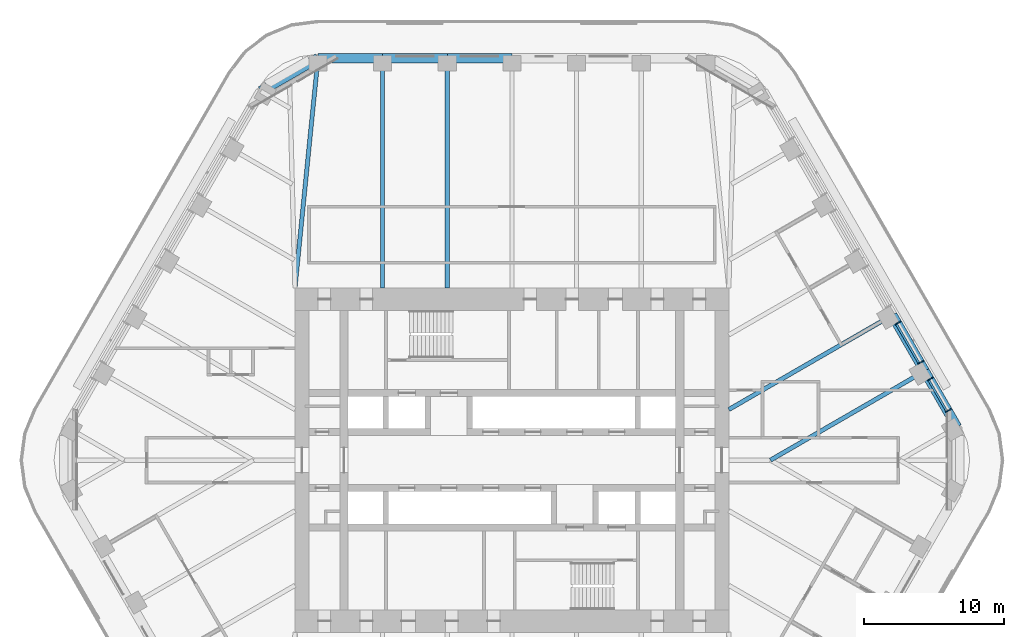
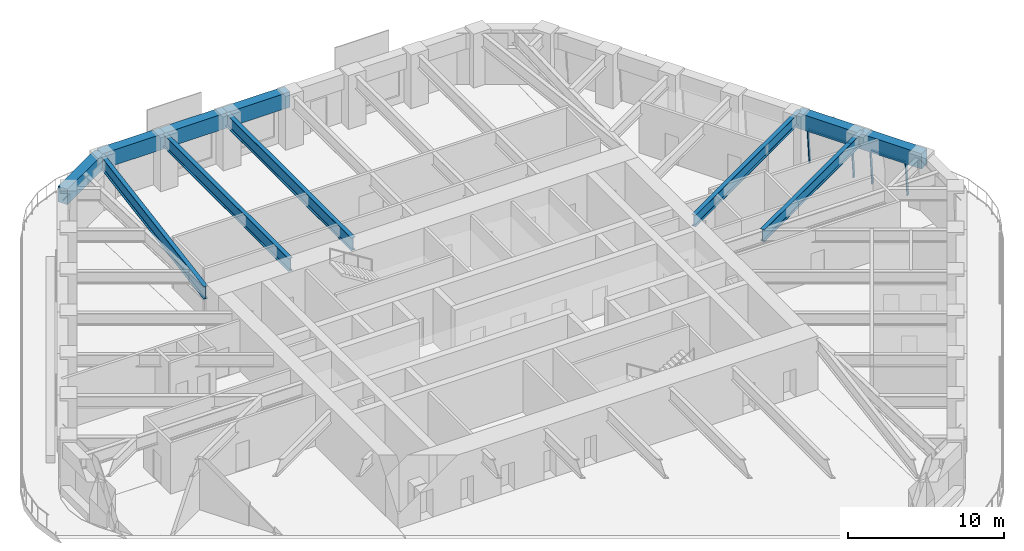
# One storey, part 9 of 20: 11 beams, 6 members, 2 elements without a shape of their own.
"""IFC4 building model written with IfcOpenShell, lengths in metres."""

import ifcopenshell
import ifcopenshell.guid

model = None  # the IFC model being written
_history = None  # IfcOwnerHistory: only IFC2X3 demands one
_inside = {}  # id of a spatial element -> (the spatial element, [elements in it])
_under = {}  # id of a project, library or spatial element -> (it, [spatial elements below it])
_declared = {}  # id of a project -> (the project, [libraries it declares])
_typed = {}  # id of a type object -> (the type object, [elements of that type])
_made_of = {}  # id of a material, layer set ... -> (it, [elements and type objects made of it])


def new_model(schema):
    """Start an empty IFC model of exactly this schema.

    Asked for "IFC4X3", IfcOpenShell would pick the latest addendum, in which some entities
    have other attributes; the version numbers below select the first issue.
    IFC2X3 requires an IfcOwnerHistory on every rooted entity: one is made here for all.
    """
    global model, _history
    if schema == "IFC4X3":
        model = ifcopenshell.file(schema_version=(4, 3, 0, 0))
    else:
        model = ifcopenshell.file(schema=schema)
    _inside.clear()
    _under.clear()
    _declared.clear()
    _typed.clear()
    _made_of.clear()
    _history = None
    if model.schema == "IFC2X3":
        org = make("IfcOrganization", Name="unknown")
        user = make(
            "IfcPersonAndOrganization",
            ThePerson=make("IfcPerson", FamilyName="unknown"),
            TheOrganization=org,
        )
        app = make(
            "IfcApplication",
            ApplicationDeveloper=org,
            Version="unknown",
            ApplicationFullName="unknown",
            ApplicationIdentifier="unknown",
        )
        _history = make(
            "IfcOwnerHistory",
            OwningUser=user,
            OwningApplication=app,
            ChangeAction="ADDED",
            CreationDate=0,
        )
    return model


def make(cls, **values):
    """One entity of the class cls with the attributes given. An attribute that is None is left unset."""
    return model.create_entity(
        cls, **{name: value for name, value in values.items() if value is not None}
    )


def rooted(cls, **values):
    """An entity with a GlobalId (a new one), such as an element, a storey or a relation."""
    return make(cls, GlobalId=ifcopenshell.guid.new(), OwnerHistory=_history, **values)


def si_unit(unit_type, name, prefix=None):
    """IfcSIUnit, for example si_unit("LENGTHUNIT", "METRE", prefix="MILLI")."""
    return make("IfcSIUnit", UnitType=unit_type, Prefix=prefix, Name=name)


def assignment(units):
    """IfcUnitAssignment: the units of a project."""
    return None if units is None else make("IfcUnitAssignment", Units=units)


def point(xyz):
    """IfcCartesianPoint."""
    return None if xyz is None else make("IfcCartesianPoint", Coordinates=xyz)


def direction(xyz):
    """IfcDirection."""
    return None if xyz is None else make("IfcDirection", DirectionRatios=xyz)


def frame(location, z_axis=None, x_axis=None):
    """IfcAxis2Placement3D, a coordinate frame: its origin and axes. An axis left out is left unset."""
    return make(
        "IfcAxis2Placement3D",
        Location=point(location),
        Axis=direction(z_axis),
        RefDirection=direction(x_axis),
    )


def frame_2d(location, x_axis=None):
    """IfcAxis2Placement2D, a coordinate frame in the plane: its origin and x axis."""
    return make(
        "IfcAxis2Placement2D", Location=point(location), RefDirection=direction(x_axis)
    )


def origin():
    """The frame at (0, 0, 0) with its axes left unset."""
    return frame((0.0, 0.0, 0.0))


def origin_2d():
    """The frame at (0, 0) in the plane with its x axis left unset."""
    return frame_2d((0.0, 0.0))


def place(relative_to, where):
    """IfcLocalPlacement: puts the frame where relative to a parent placement (None: the world)."""
    return make(
        "IfcLocalPlacement", PlacementRelTo=relative_to, RelativePlacement=where
    )


def context(
    kind, dimensions, precision=None, world=None, true_north=None, identifier=None
):
    """IfcGeometricRepresentationContext, for example the 3D "Model" context."""
    return make(
        "IfcGeometricRepresentationContext",
        ContextIdentifier=identifier,
        ContextType=kind,
        CoordinateSpaceDimension=dimensions,
        Precision=precision,
        WorldCoordinateSystem=world,
        TrueNorth=true_north,
    )


def subcontext(parent, identifier, kind, view, scale=None):
    """IfcGeometricRepresentationSubContext, for example "Body" below "Model"."""
    return make(
        "IfcGeometricRepresentationSubContext",
        ContextIdentifier=identifier,
        ContextType=kind,
        ParentContext=parent,
        TargetScale=scale,
        TargetView=view,
    )


def project(units=None, contexts=None):
    """IfcProject with its units and contexts."""
    return rooted(
        "IfcProject",
        Name="project",
        RepresentationContexts=contexts,
        UnitsInContext=assignment(units),
    )


def spatial(cls, under=None, at=None, **own):
    """A site, building, storey or space (cls), placed at a placement, below another one or the project."""
    s = rooted(cls, ObjectPlacement=at, **own)
    if under is not None:
        _under.setdefault(under.id(), (under, []))[1].append(s)
    return s


def profile(cls, at=None, kind="AREA", **sizes):
    """A parametric profile (cls). Its sizes go by their IFC names, for example OverallWidth=200.0."""
    return make(cls, ProfileType=kind, Position=at, **sizes)


def rectangle(**sizes):
    """IfcRectangleProfileDef."""
    return profile("IfcRectangleProfileDef", **sizes)


def i_section(**sizes):
    """IfcIShapeProfileDef."""
    return profile("IfcIShapeProfileDef", **sizes)


def extrude(swept, where, along, depth):
    """IfcExtrudedAreaSolid: the profile swept, set in the frame where, extruded along a direction by depth."""
    return make(
        "IfcExtrudedAreaSolid",
        SweptArea=swept,
        Position=where,
        ExtrudedDirection=direction(along),
        Depth=depth,
    )


def shape(context_of_items, identifier, shape_type, items):
    """IfcShapeRepresentation: the items that make up one representation, for example the "Body"."""
    return make(
        "IfcShapeRepresentation",
        ContextOfItems=context_of_items,
        RepresentationIdentifier=identifier,
        RepresentationType=shape_type,
        Items=items,
    )


def material(Name=None, Category=None):
    """IfcMaterial."""
    return make("IfcMaterial", Name=Name, Category=Category)


def material_profile(
    of_material, cross_section, Name=None, Category=None, Priority=None
):
    """IfcMaterialProfile: a cross section and its material."""
    return make(
        "IfcMaterialProfile",
        Name=Name,
        Material=of_material,
        Profile=cross_section,
        Priority=Priority,
        Category=Category,
    )


def profile_set(profiles, Name=None, composite=None):
    """IfcMaterialProfileSet."""
    return make(
        "IfcMaterialProfileSet",
        Name=Name,
        MaterialProfiles=profiles,
        CompositeProfile=composite,
    )


def made_of(thing, what):
    """Note that an element or type object is made of a material, layer set ...; save() writes the relation."""
    if what is not None:
        _made_of.setdefault(what.id(), (what, []))[1].append(thing)
    return thing


def type_object(cls, material=None, **own):
    """A type object (cls), such as IfcWallType, which elements share."""
    return made_of(rooted(cls, **own), material)


def element(
    cls,
    number,
    at=None,
    inside=None,
    cuts=None,
    type_object=None,
    material=None,
    context=None,
    identifier="Body",
    shape_type=None,
    held_by="IfcProductDefinitionShape",
    body=None,
    shapes=None,
    **own,
):
    """One element of the class cls, such as IfcWall. Its Tag is "e" and its number.

    at: its placement. inside: the storey or other place that contains it. cuts: it is an
    opening in that element (IfcRelVoidsElement). A single representation is given by context,
    identifier, shape_type and body (its items); several are given by shapes. held_by: the class
    of the entity that holds the representations. save() writes the other relations.
    """
    e = rooted(cls, Tag="e%d" % number, ObjectPlacement=at, **own)
    if body is not None:
        shapes = [shape(context, identifier, shape_type, body)]
    if shapes is not None:
        e.Representation = make(held_by, Representations=shapes)
    if inside is not None:
        _inside.setdefault(inside.id(), (inside, []))[1].append(e)
    if cuts is not None:
        rooted(
            "IfcRelVoidsElement", RelatingBuildingElement=cuts, RelatedOpeningElement=e
        )
    if type_object is not None:
        _typed.setdefault(type_object.id(), (type_object, []))[1].append(e)
    return made_of(e, material)


def aggregate(whole, parts):
    """IfcRelAggregates: a whole, such as a stair, and the parts it consists of."""
    return rooted("IfcRelAggregates", RelatingObject=whole, RelatedObjects=parts)


def save(model, path):
    """Write the relations noted so far, then the file.

    IfcRelAggregates (storeys below a building ...), IfcRelContainedInSpatialStructure (elements
    in a storey), IfcRelDefinesByType, IfcRelAssociatesMaterial and IfcRelDeclares: one each for
    every whole, place, type object, material and project.
    """
    for whole, parts in _under.values():
        aggregate(whole, parts)
    for where, things in _inside.values():
        rooted(
            "IfcRelContainedInSpatialStructure",
            RelatedElements=things,
            RelatingStructure=where,
        )
    for kind, things in _typed.values():
        rooted("IfcRelDefinesByType", RelatedObjects=things, RelatingType=kind)
    for what, things in _made_of.values():
        rooted("IfcRelAssociatesMaterial", RelatedObjects=things, RelatingMaterial=what)
    for by, libraries in _declared.values():
        rooted("IfcRelDeclares", RelatingContext=by, RelatedDefinitions=libraries)
    model.write(path)


model = new_model("IFC4")

# Units and contexts
model_context = context("Model", 3, precision=1e-05, world=origin(), true_north=direction((0.0, 1.0)))
body_context = subcontext(model_context, "Body", "Model", "MODEL_VIEW")
ifc_project = project(units=[si_unit("LENGTHUNIT", "METRE"), si_unit("AREAUNIT", "SQUARE_METRE"), si_unit("VOLUMEUNIT", "CUBIC_METRE"), si_unit("PLANEANGLEUNIT", "RADIAN"), si_unit("MASSUNIT", "GRAM", prefix="KILO")], contexts=[model_context])

# Site, building, storey
site_placement = place(None, origin())
site = spatial("IfcSite", under=ifc_project, at=site_placement, CompositionType="ELEMENT")
building_placement = place(site_placement, origin())
building = spatial("IfcBuilding", under=site, at=building_placement, Name="Tarfa Lantern Tower", CompositionType="ELEMENT")
storey_placement = place(building_placement, frame((0.0, 0.0, 249.10009765625)))
storey = spatial("IfcBuildingStorey", under=building, at=storey_placement, Name="L56", CompositionType="ELEMENT", Elevation=249.10009765625)

# Curtain wall, members
ifc_material_1 = material(Name="Aluminium framed curtain wall", Category="aluminium")
curtain_wall_type = type_object("IfcCurtainWallType", Name="CW3 CANTED GLAZING HIGH ZONE 2800", PredefinedType="USERDEFINED", material=ifc_material_1)
curtain_wall_1_placement = place(storey_placement, origin())
curtain_wall_1 = element("IfcCurtainWall", 1, at=curtain_wall_1_placement, inside=storey, type_object=curtain_wall_type, Name="CW3 NE L56", ObjectType="CURTAIN WALL", PredefinedType="USERDEFINED")
ifc_material_2 = material(Name="Aluminium mullion", Category="aluminium")
ifc_material_profile_1 = material_profile(ifc_material_2, rectangle(XDim=0.06494140625, YDim=0.199951171875, at=origin_2d()), Name="AL MULLION 65x200")
ifc_profile_set_1 = profile_set([ifc_material_profile_1], Name="Aluminium mullion")
member_type_1 = type_object("IfcMemberType", Name="CWM1 MULLION 65x200", PredefinedType="MULLION", material=ifc_profile_set_1)
member_1_placement = place(storey_placement, frame((31.2900390625, 3.60400390625, 0.0), z_axis=(-0.077039050765, -0.044468989844, 0.996035889715), x_axis=(0.499919672301, -0.866071776036, 0.0)))
member_1 = element("IfcMember", 2, at=member_1_placement, type_object=member_type_1, Name="CW3 mullion 1", PredefinedType="MULLION", context=body_context, shape_type="SweptSolid", body=[
    extrude(rectangle(XDim=0.06494140625, YDim=0.199951171875, at=origin_2d()), origin(), (0.0, 0.0, 1.0), 2.81103515625),
])
member_2_placement = place(storey_placement, frame((29.98828125, 5.85888671875, 0.0), z_axis=(-0.077039050765, -0.044468989844, 0.996035889715), x_axis=(0.499919672301, -0.866071776036, 0.0)))
member_2 = element("IfcMember", 3, at=member_2_placement, type_object=member_type_1, Name="CW3 mullion 2", PredefinedType="MULLION", context=body_context, shape_type="SweptSolid", body=[
    extrude(rectangle(XDim=0.06494140625, YDim=0.199951171875, at=origin_2d()), origin(), (0.0, 0.0, 1.0), 2.81103515625),
])

curtain_wall_2_placement = place(storey_placement, origin())
curtain_wall_2 = element("IfcCurtainWall", 4, at=curtain_wall_2_placement, inside=storey, type_object=curtain_wall_type, Name="CW3 NE L56", ObjectType="CURTAIN WALL", PredefinedType="USERDEFINED")
member_3_placement = place(storey_placement, frame((29.3056640625, 7.041015625, 0.0), z_axis=(-0.077039050765, -0.044468989844, 0.996035889715), x_axis=(0.499919672301, -0.866071776036, 0.0)))
member_3 = element("IfcMember", 5, at=member_3_placement, type_object=member_type_1, Name="CW3 mullion 1", PredefinedType="MULLION", context=body_context, shape_type="SweptSolid", body=[
    extrude(rectangle(XDim=0.06494140625, YDim=0.199951171875, at=origin_2d()), origin(), (0.0, 0.0, 1.0), 2.81103515625),
])
member_4_placement = place(storey_placement, frame((27.6787109375, 9.85888671875, 0.0), z_axis=(-0.077039050765, -0.044468989844, 0.996035889715), x_axis=(0.499919672301, -0.866071776036, 0.0)))
member_4 = element("IfcMember", 6, at=member_4_placement, type_object=member_type_1, Name="CW3 mullion 2", PredefinedType="MULLION", context=body_context, shape_type="SweptSolid", body=[
    extrude(rectangle(XDim=0.06494140625, YDim=0.199951171875, at=origin_2d()), origin(), (0.0, 0.0, 1.0), 2.81103515625),
])

# Member
ifc_material_3 = material(Name="Aluminium transom", Category="aluminium")
ifc_material_profile_2 = material_profile(ifc_material_3, rectangle(XDim=0.14990234375, YDim=0.06494140625, at=origin_2d()), Name="AL TRANSOM 150x65")
ifc_profile_set_2 = profile_set([ifc_material_profile_2], Name="Aluminium transom")
member_type_2 = type_object("IfcMemberType", Name="CWT1 TRANSOM 150x65", PredefinedType="USERDEFINED", material=ifc_profile_set_2)
member_5_placement = place(storey_placement, frame((31.059814453125, 3.508544921875, 2.767333984375), z_axis=(-0.499955533855, 0.866051074803, 0.0), x_axis=(-0.866051074803, -0.499955533855, 0.0)))
member_5 = element("IfcMember", 7, at=member_5_placement, type_object=member_type_2, Name="CW3 transom 1.2", ObjectType="TRANSOM", PredefinedType="USERDEFINED", context=body_context, shape_type="SweptSolid", body=[
    extrude(rectangle(XDim=0.14990234375, YDim=0.06494140625, at=origin_2d()), origin(), (0.0, 0.0, 1.0), 2.538818359375),
])

aggregate(curtain_wall_1, [member_1, member_2, member_5])

member_6_placement = place(storey_placement, frame((29.075439453125, 6.945556640625, 2.767333984375), z_axis=(-0.500000789788, 0.8660249478, 0.0), x_axis=(-0.8660249478, -0.500000789788, 0.0)))
member_6 = element("IfcMember", 8, at=member_6_placement, type_object=member_type_2, Name="CW3 transom 1.2", ObjectType="TRANSOM", PredefinedType="USERDEFINED", context=body_context, shape_type="SweptSolid", body=[
    extrude(rectangle(XDim=0.14990234375, YDim=0.06494140625, at=origin_2d()), origin(), (0.0, 0.0, 1.0), 3.18896484375),
])

aggregate(curtain_wall_2, [member_3, member_4, member_6])

# Beams
ifc_material_4 = material(Name="Concrete C80/95", Category="concrete")
ifc_material_profile_3 = material_profile(ifc_material_4, rectangle(XDim=0.699951171875, YDim=1.199951171875, at=origin_2d()), Name="RC 700x1200")
ifc_profile_set_3 = profile_set([ifc_material_profile_3], Name="Concrete C80/95")
beam_type_1 = type_object("IfcBeamType", Name="EB3 RC 700x1200", PredefinedType="SPANDREL", material=ifc_profile_set_3)
beam_1_placement = place(storey_placement, frame((31.800537109375, 2.360107421875, 3.39990234375), z_axis=(-0.500027479704, 0.866009537788, 0.0), x_axis=(-0.866009537788, -0.500027479704, 0.0)))
element("IfcBeam", 9, at=beam_1_placement, inside=storey, type_object=beam_type_1, Name="Edge beam NE0", PredefinedType="SPANDREL", context=body_context, shape_type="SweptSolid", body=[
    extrude(rectangle(XDim=0.699951171875, YDim=1.199951171875, at=origin_2d()), origin(), (0.0, 0.0, 1.0), 4.618896484375),
])
beam_2_placement = place(storey_placement, frame((29.490966796875, 6.360107421875, 3.39990234375), z_axis=(-0.499987836815, 0.866032426089, 0.0), x_axis=(-0.866032426089, -0.499987836815, 0.0)))
element("IfcBeam", 10, at=beam_2_placement, inside=storey, type_object=beam_type_1, Name="Edge beam NE1", PredefinedType="SPANDREL", context=body_context, shape_type="SweptSolid", body=[
    extrude(rectangle(XDim=0.699951171875, YDim=1.199951171875, at=origin_2d()), origin(), (0.0, 0.0, 1.0), 4.61865234375),
])
beam_3_placement = place(storey_placement, frame((0.0, 28.719970703125, 3.39990234375), z_axis=(-1.0, 0.0, 0.0), x_axis=(0.0, -1.0, 0.0)))
element("IfcBeam", 11, at=beam_3_placement, inside=storey, type_object=beam_type_1, Name="Edge beam N3", PredefinedType="SPANDREL", context=body_context, shape_type="SweptSolid", body=[
    extrude(rectangle(XDim=0.699951171875, YDim=1.199951171875, at=origin_2d()), origin(), (0.0, 0.0, 1.0), 4.618896484375),
])
beam_4_placement = place(storey_placement, frame((-4.618896484375, 28.719970703125, 3.39990234375), z_axis=(-1.0, 0.0, 0.0), x_axis=(0.0, -1.0, 0.0)))
element("IfcBeam", 12, at=beam_4_placement, inside=storey, type_object=beam_type_1, Name="Edge beam N4", PredefinedType="SPANDREL", context=body_context, shape_type="SweptSolid", body=[
    extrude(rectangle(XDim=0.699951171875, YDim=1.199951171875, at=origin_2d()), origin(), (0.0, 0.0, 1.0), 4.61865234375),
])
beam_5_placement = place(storey_placement, frame((-9.237548828125, 28.719970703125, 3.39990234375), z_axis=(-1.0, 0.0, 0.0), x_axis=(0.0, -1.0, 0.0)))
element("IfcBeam", 13, at=beam_5_placement, inside=storey, type_object=beam_type_1, Name="Edge beam N5", PredefinedType="SPANDREL", context=body_context, shape_type="SweptSolid", body=[
    extrude(rectangle(XDim=0.699951171875, YDim=1.199951171875, at=origin_2d()), origin(), (0.0, 0.0, 1.0), 4.618896484375),
])
beam_6_placement = place(storey_placement, frame((-13.8564453125, 28.719970703125, 3.39990234375), z_axis=(-0.866038294681, -0.499977671647, 0.0), x_axis=(0.499977671647, -0.866038294681, 0.0)))
element("IfcBeam", 14, at=beam_6_placement, inside=storey, type_object=beam_type_1, Name="Edge beam N6", PredefinedType="SPANDREL", context=body_context, shape_type="SweptSolid", body=[
    extrude(rectangle(XDim=0.699951171875, YDim=1.199951171875, at=origin_2d()), origin(), (0.0, 0.0, 1.0), 4.719970703125),
])
ifc_material_5 = material(Name="Steel S460M", Category="steel")
ifc_material_profile_4 = material_profile(ifc_material_5, i_section(OverallWidth=0.302001953125, OverallDepth=1.008056640625, WebThickness=0.02099609375, FlangeThickness=0.0400390625, FilletRadius=0.030029296875, at=origin_2d()), Name="UB1016x305x349")
ifc_profile_set_4 = profile_set([ifc_material_profile_4], Name="Steel S460M")
beam_type_2 = type_object("IfcBeamType", Name="UB1016x305x349", PredefinedType="BEAM", material=ifc_profile_set_4)
for number, where, z_axis, x_axis, name in (
    (15, (-4.618896484375, 28.719970703125, 3.495849609375), (0.0, -1.0, 0.0), (1.0, 0.0, 0.0), "Floor beam N4"),
    (16, (-9.237548828125, 28.719970703125, 3.495849609375), (0.0, -1.0, 0.0), (1.0, 0.0, 0.0), "Floor beam N5"),
):
    element("IfcBeam", number, at=place(storey_placement, frame(where, z_axis=z_axis, x_axis=x_axis)), inside=storey, type_object=beam_type_2, Name=name, PredefinedType="BEAM", context=body_context, shape_type="SweptSolid", body=[
        extrude(i_section(OverallWidth=0.302001953125, OverallDepth=1.008056640625, WebThickness=0.02099609375, FlangeThickness=0.0400390625, FilletRadius=0.030029296875, at=origin_2d()), origin(), (0.0, 0.0, 1.0), 16.419921875),
    ])
beam_7_placement = place(storey_placement, frame((-13.8564453125, 28.719970703125, 3.495849609375), z_axis=(-0.099597466746, -0.995027810977, 0.0), x_axis=(0.995027810977, -0.099597466746, 0.0)))
element("IfcBeam", 17, at=beam_7_placement, inside=storey, type_object=beam_type_2, Name="Floor beam N6", PredefinedType="BEAM", context=body_context, shape_type="SweptSolid", body=[
    extrude(i_section(OverallWidth=0.302001953125, OverallDepth=1.008056640625, WebThickness=0.02099609375, FlangeThickness=0.0400390625, FilletRadius=0.030029296875, at=origin_2d()), origin(), (0.0, 0.0, 1.0), 16.501953125),
])
ifc_material_profile_5 = material_profile(ifc_material_5, i_section(OverallWidth=0.305419921875, OverallDepth=0.91845703125, WebThickness=0.017333984375, FlangeThickness=0.02783203125, FilletRadius=0.01904296875, at=origin_2d()), Name="UB914x305x253")
ifc_profile_set_5 = profile_set([ifc_material_profile_5], Name="Steel S460M")
beam_type_3 = type_object("IfcBeamType", Name="UB914x305x253", PredefinedType="BEAM", material=ifc_profile_set_5)
beam_8_placement = place(storey_placement, frame((29.490966796875, 6.360107421875, 3.540771484375), z_axis=(-0.866022258038, -0.500005448553, 0.0), x_axis=(0.500005448553, -0.866022258038, 0.0)))
element("IfcBeam", 18, at=beam_8_placement, inside=storey, type_object=beam_type_3, Name="Floor beam NE1", PredefinedType="BEAM", context=body_context, shape_type="SweptSolid", body=[
    extrude(i_section(OverallWidth=0.305419921875, OverallDepth=0.91845703125, WebThickness=0.017333984375, FlangeThickness=0.02783203125, FilletRadius=0.01904296875, at=origin_2d()), origin(), (0.0, 0.0, 1.0), 12.719970703125),
])
beam_9_placement = place(storey_placement, frame((27.181640625, 10.360107421875, 3.540771484375), z_axis=(-0.866018002818, -0.500012818631, 0.0), x_axis=(0.500012818631, -0.866018002818, 0.0)))
element("IfcBeam", 19, at=beam_9_placement, inside=storey, type_object=beam_type_3, Name="Floor beam NE2", PredefinedType="BEAM", context=body_context, shape_type="SweptSolid", body=[
    extrude(i_section(OverallWidth=0.305419921875, OverallDepth=0.91845703125, WebThickness=0.017333984375, FlangeThickness=0.02783203125, FilletRadius=0.01904296875, at=origin_2d()), origin(), (0.0, 0.0, 1.0), 13.489013671875),
])

save(model, "model.ifc")
